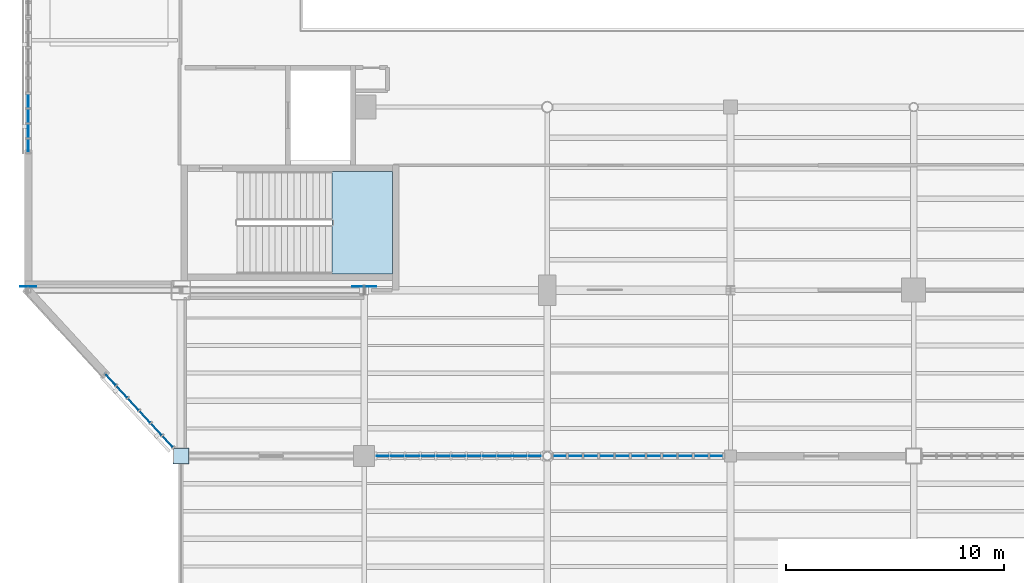
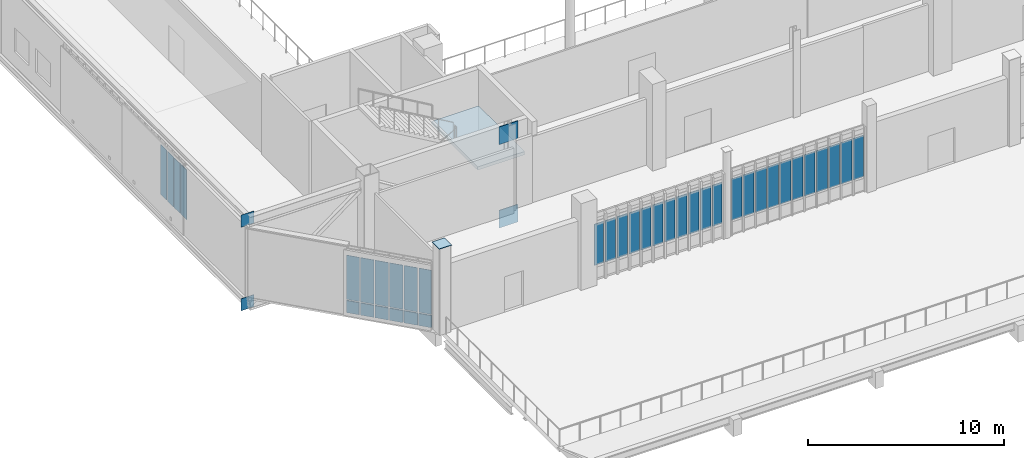
# One storey, part 68 of 127: 43 plates, 1 slab, 5 elements without a shape of their own.
"""IFC4 building model written with IfcOpenShell, lengths in metres."""

from ifc_helpers import new_model, si_unit, direction, frame, origin, origin_2d, place, context, subcontext, project, spatial, polyline, rectangle, outline, extrude, material, layer, layer_set, type_object, element, aggregate, save


model = new_model("IFC4")

# Units and contexts
model_context = context("Model", 3, precision=1e-05, world=origin(), true_north=direction((0.0, 1.0)))
body_context = subcontext(model_context, "Body", "Model", "MODEL_VIEW")
ifc_project = project(units=[si_unit("LENGTHUNIT", "METRE"), si_unit("AREAUNIT", "SQUARE_METRE"), si_unit("VOLUMEUNIT", "CUBIC_METRE"), si_unit("PLANEANGLEUNIT", "RADIAN"), si_unit("MASSUNIT", "GRAM", prefix="KILO")], contexts=[model_context])

# Site, building, storey
site_placement = place(None, origin())
site = spatial("IfcSite", under=ifc_project, at=site_placement, CompositionType="ELEMENT")
building_placement = place(site_placement, origin())
building = spatial("IfcBuilding", under=site, at=building_placement, Name="Larkvane Passage Sports Hall", CompositionType="ELEMENT")
storey_placement = place(building_placement, frame((0.0, 0.0, 5.39990234375)))
storey = spatial("IfcBuildingStorey", under=building, at=storey_placement, Name="L01", CompositionType="ELEMENT", Elevation=5.39990234375)

# Curtain wall, plates
ifc_material_1 = material(Name="Thermally broken aluminium and low-E glazing", Category="aluminium")
curtain_wall_type_1 = type_object("IfcCurtainWallType", Name="CW-UNIT-COURT", PredefinedType="USERDEFINED", material=ifc_material_1)
curtain_wall_1_placement = place(storey_placement, origin())
curtain_wall_1 = element("IfcCurtainWall", 1, at=curtain_wall_1_placement, inside=storey, type_object=curtain_wall_type_1, Name="Curtain wall CW5-L01-032", ObjectType="UNITISED CURTAIN WALL", PredefinedType="USERDEFINED")
ifc_material_2 = material(Name="Insulated aluminium spandrel panel", Category="aluminium")
ifc_layer_1 = layer(ifc_material_2, 0.06494140625)
ifc_layer_set_1 = layer_set([ifc_layer_1], Name="Insulated aluminium spandrel panel")
plate_type_1 = type_object("IfcPlateType", Name="CWP-SPD-65", PredefinedType="CURTAIN_PANEL", material=ifc_layer_set_1)
plate_1_placement = place(storey_placement, frame((34.192626953125, 15.859375, 0.065185546875), z_axis=(0.0, 0.0, 1.0), x_axis=(-0.677477581746, 0.735543422397, 0.0)))
plate_1 = element("IfcPlate", 2, at=plate_1_placement, type_object=plate_type_1, Name="CW-01 panel 1.1", PredefinedType="CURTAIN_PANEL", context=body_context, shape_type="SweptSolid", body=[
    extrude(rectangle(XDim=0.681884765625, YDim=0.06494140625, at=origin_2d()), origin(), (0.0, 0.0, 1.0), 0.75244140625),
])
plate_2_placement = place(storey_placement, frame((33.67578125, 16.420654296875, 0.065185546875), z_axis=(0.0, 0.0, 1.0), x_axis=(-0.677477581746, 0.735543422397, 0.0)))
plate_2 = element("IfcPlate", 3, at=plate_2_placement, type_object=plate_type_1, Name="CW-01 panel 2.1", PredefinedType="CURTAIN_PANEL", context=body_context, shape_type="SweptSolid", body=[
    extrude(rectangle(XDim=0.71435546875, YDim=0.06494140625, at=origin_2d()), origin(), (0.0, 0.0, 1.0), 0.75244140625),
])
plate_3_placement = place(storey_placement, frame((33.147705078125, 16.993896484375, 0.065185546875), z_axis=(0.0, 0.0, 1.0), x_axis=(-0.677477581746, 0.735543422397, 0.0)))
plate_3 = element("IfcPlate", 4, at=plate_3_placement, type_object=plate_type_1, Name="CW-01 panel 3.1", PredefinedType="CURTAIN_PANEL", context=body_context, shape_type="SweptSolid", body=[
    extrude(rectangle(XDim=0.71435546875, YDim=0.06494140625, at=origin_2d()), origin(), (0.0, 0.0, 1.0), 0.75244140625),
])
plate_4_placement = place(storey_placement, frame((32.619873046875, 17.56689453125, 0.065185546875), z_axis=(0.0, 0.0, 1.0), x_axis=(-0.677477581746, 0.735543422397, 0.0)))
plate_4 = element("IfcPlate", 5, at=plate_4_placement, type_object=plate_type_1, Name="CW-01 panel 4.1", PredefinedType="CURTAIN_PANEL", context=body_context, shape_type="SweptSolid", body=[
    extrude(rectangle(XDim=0.71435546875, YDim=0.06494140625, at=origin_2d()), origin(), (0.0, 0.0, 1.0), 0.75244140625),
])
plate_5_placement = place(storey_placement, frame((32.092041015625, 18.14013671875, 0.065185546875), z_axis=(0.0, 0.0, 1.0), x_axis=(-0.677477581746, 0.735543422397, 0.0)))
plate_5 = element("IfcPlate", 6, at=plate_5_placement, type_object=plate_type_1, Name="CW-01 panel 5.1", PredefinedType="CURTAIN_PANEL", context=body_context, shape_type="SweptSolid", body=[
    extrude(rectangle(XDim=0.71435546875, YDim=0.06494140625, at=origin_2d()), origin(), (0.0, 0.0, 1.0), 0.75244140625),
])
plate_6_placement = place(storey_placement, frame((31.574951171875, 18.701416015625, 0.065185546875), z_axis=(0.0, 0.0, 1.0), x_axis=(-0.677477581746, 0.735543422397, 0.0)))
plate_6 = element("IfcPlate", 7, at=plate_6_placement, type_object=plate_type_1, Name="CW-01 panel 6.1", PredefinedType="CURTAIN_PANEL", context=body_context, shape_type="SweptSolid", body=[
    extrude(rectangle(XDim=0.681884765625, YDim=0.06494140625, at=origin_2d()), origin(), (0.0, 0.0, 1.0), 0.75244140625),
])
ifc_material_3 = material(Name="Solar-control low-E double glazing", Category="glass")
ifc_layer_2 = layer(ifc_material_3, 0.028076171875)
ifc_layer_set_2 = layer_set([ifc_layer_2], Name="Solar-control low-E double glazing")
plate_type_2 = type_object("IfcPlateType", Name="CWP-VIS-28", PredefinedType="CURTAIN_PANEL", material=ifc_layer_set_2)
plate_7_placement = place(storey_placement, frame((34.192626953125, 15.859375, 0.882568359375), z_axis=(0.0, 0.0, 1.0), x_axis=(-0.677477581746, 0.735543422397, 0.0)))
plate_7 = element("IfcPlate", 8, at=plate_7_placement, type_object=plate_type_2, Name="CW-01 panel 1.2", PredefinedType="CURTAIN_PANEL", context=body_context, shape_type="SweptSolid", body=[
    extrude(rectangle(XDim=0.681884765625, YDim=0.028076171875, at=origin_2d()), origin(), (0.0, 0.0, 1.0), 2.7529296875),
])
plate_8_placement = place(storey_placement, frame((33.67578125, 16.420654296875, 0.882568359375), z_axis=(0.0, 0.0, 1.0), x_axis=(-0.677477581746, 0.735543422397, 0.0)))
plate_8 = element("IfcPlate", 9, at=plate_8_placement, type_object=plate_type_2, Name="CW-01 panel 2.2", PredefinedType="CURTAIN_PANEL", context=body_context, shape_type="SweptSolid", body=[
    extrude(rectangle(XDim=0.71435546875, YDim=0.028076171875, at=origin_2d()), origin(), (0.0, 0.0, 1.0), 2.7529296875),
])
plate_9_placement = place(storey_placement, frame((33.147705078125, 16.993896484375, 0.882568359375), z_axis=(0.0, 0.0, 1.0), x_axis=(-0.677477581746, 0.735543422397, 0.0)))
plate_9 = element("IfcPlate", 10, at=plate_9_placement, type_object=plate_type_2, Name="CW-01 panel 3.2", PredefinedType="CURTAIN_PANEL", context=body_context, shape_type="SweptSolid", body=[
    extrude(rectangle(XDim=0.71435546875, YDim=0.028076171875, at=origin_2d()), origin(), (0.0, 0.0, 1.0), 2.7529296875),
])
plate_10_placement = place(storey_placement, frame((32.619873046875, 17.56689453125, 0.882568359375), z_axis=(0.0, 0.0, 1.0), x_axis=(-0.677477581746, 0.735543422397, 0.0)))
plate_10 = element("IfcPlate", 11, at=plate_10_placement, type_object=plate_type_2, Name="CW-01 panel 4.2", PredefinedType="CURTAIN_PANEL", context=body_context, shape_type="SweptSolid", body=[
    extrude(rectangle(XDim=0.71435546875, YDim=0.028076171875, at=origin_2d()), origin(), (0.0, 0.0, 1.0), 2.7529296875),
])
plate_11_placement = place(storey_placement, frame((32.092041015625, 18.14013671875, 0.882568359375), z_axis=(0.0, 0.0, 1.0), x_axis=(-0.677477581746, 0.735543422397, 0.0)))
plate_11 = element("IfcPlate", 12, at=plate_11_placement, type_object=plate_type_2, Name="CW-01 panel 5.2", PredefinedType="CURTAIN_PANEL", context=body_context, shape_type="SweptSolid", body=[
    extrude(rectangle(XDim=0.71435546875, YDim=0.028076171875, at=origin_2d()), origin(), (0.0, 0.0, 1.0), 2.7529296875),
])
plate_12_placement = place(storey_placement, frame((31.574951171875, 18.701416015625, 0.882568359375), z_axis=(0.0, 0.0, 1.0), x_axis=(-0.677477581746, 0.735543422397, 0.0)))
plate_12 = element("IfcPlate", 13, at=plate_12_placement, type_object=plate_type_2, Name="CW-01 panel 6.2", PredefinedType="CURTAIN_PANEL", context=body_context, shape_type="SweptSolid", body=[
    extrude(rectangle(XDim=0.681884765625, YDim=0.028076171875, at=origin_2d()), origin(), (0.0, 0.0, 1.0), 2.7529296875),
])
aggregate(curtain_wall_1, [plate_1, plate_7, plate_2, plate_8, plate_3, plate_9, plate_4, plate_10, plate_5, plate_11, plate_6, plate_12])

curtain_wall_type_2 = type_object("IfcCurtainWallType", Name="CW-UNIT-VEIL", PredefinedType="USERDEFINED", material=ifc_material_1)
curtain_wall_2_placement = place(storey_placement, origin())
curtain_wall_2 = element("IfcCurtainWall", 14, at=curtain_wall_2_placement, inside=storey, type_object=curtain_wall_type_2, Name="Curtain wall CW5-L01-033", ObjectType="UNITISED CURTAIN WALL", PredefinedType="USERDEFINED")
ifc_material_4 = material(Name="Laminated acoustic low-E glazing", Category="glass")
ifc_layer_3 = layer(ifc_material_4, 0.031982421875)
ifc_layer_set_3 = layer_set([ifc_layer_3], Name="Laminated acoustic low-E glazing")
plate_type_3 = type_object("IfcPlateType", Name="CWP-VIS-32", PredefinedType="CURTAIN_PANEL", material=ifc_layer_set_3)
plate_13_placement = place(storey_placement, frame((27.800048828125, 29.420654296875, 0.8876953125), z_axis=(0.0, 0.0, 1.0), x_axis=(0.0, 1.0, 0.0)))
plate_13 = element("IfcPlate", 15, at=plate_13_placement, type_object=plate_type_3, Name="CW-02 panel 1.2", PredefinedType="CURTAIN_PANEL", context=body_context, shape_type="SweptSolid", body=[
    extrude(rectangle(XDim=0.58251953125, YDim=0.031982421875, at=origin_2d()), origin(), (0.0, 0.0, 1.0), 3.10302734375),
])
plate_14_placement = place(storey_placement, frame((27.800048828125, 30.096923828125, 0.8876953125), z_axis=(0.0, 0.0, 1.0), x_axis=(0.0, 1.0, 0.0)))
plate_14 = element("IfcPlate", 16, at=plate_14_placement, type_object=plate_type_3, Name="CW-02 panel 2.2", PredefinedType="CURTAIN_PANEL", context=body_context, shape_type="SweptSolid", body=[
    extrude(rectangle(XDim=0.619873046875, YDim=0.031982421875, at=origin_2d()), origin(), (0.0, 0.0, 1.0), 3.10302734375),
])
plate_15_placement = place(storey_placement, frame((27.800048828125, 30.7919921875, 0.8876953125), z_axis=(0.0, 0.0, 1.0), x_axis=(0.0, 1.0, 0.0)))
plate_15 = element("IfcPlate", 17, at=plate_15_placement, type_object=plate_type_3, Name="CW-02 panel 3.2", PredefinedType="CURTAIN_PANEL", context=body_context, shape_type="SweptSolid", body=[
    extrude(rectangle(XDim=0.619873046875, YDim=0.031982421875, at=origin_2d()), origin(), (0.0, 0.0, 1.0), 3.10302734375),
])
plate_16_placement = place(storey_placement, frame((27.800048828125, 31.48681640625, 0.8876953125), z_axis=(0.0, 0.0, 1.0), x_axis=(0.0, 1.0, 0.0)))
plate_16 = element("IfcPlate", 18, at=plate_16_placement, type_object=plate_type_3, Name="CW-02 panel 4.2", PredefinedType="CURTAIN_PANEL", context=body_context, shape_type="SweptSolid", body=[
    extrude(rectangle(XDim=0.619873046875, YDim=0.031982421875, at=origin_2d()), origin(), (0.0, 0.0, 1.0), 3.10302734375),
])
aggregate(curtain_wall_2, [plate_13, plate_14, plate_15, plate_16])

curtain_wall_type_3 = type_object("IfcCurtainWallType", Name="CW-STICK-FOYER", PredefinedType="USERDEFINED", material=ifc_material_1)
curtain_wall_3_placement = place(storey_placement, origin())
curtain_wall_3 = element("IfcCurtainWall", 19, at=curtain_wall_3_placement, inside=storey, type_object=curtain_wall_type_3, Name="Curtain wall CW5-L01-030", ObjectType="STICK CURTAIN WALL", PredefinedType="USERDEFINED")
ifc_material_5 = material(Name="High-impact court low-E glazing", Category="glass")
ifc_layer_4 = layer(ifc_material_5, 0.035888671875)
ifc_layer_set_4 = layer_set([ifc_layer_4], Name="High-impact court low-E glazing")
plate_type_4 = type_object("IfcPlateType", Name="CWP-VIS-36", PredefinedType="CURTAIN_PANEL", material=ifc_layer_set_4)
plate_17_placement = place(storey_placement, frame((59.3486328125, 15.199951171875, 0.89013671875), z_axis=(0.0, 0.0, 1.0), x_axis=(-1.0, 0.0, 0.0)))
plate_17 = element("IfcPlate", 20, at=plate_17_placement, type_object=plate_type_4, Name="CW-03 panel 1.2", PredefinedType="CURTAIN_PANEL", context=body_context, shape_type="SweptSolid", body=[
    extrude(rectangle(XDim=0.600830078125, YDim=0.035888671875, at=origin_2d()), origin(), (0.0, 0.0, 1.0), 2.587890625),
])
plate_18_placement = place(storey_placement, frame((58.647705078125, 15.199951171875, 0.89013671875), z_axis=(0.0, 0.0, 1.0), x_axis=(-1.0, 0.0, 0.0)))
plate_18 = element("IfcPlate", 21, at=plate_18_placement, type_object=plate_type_4, Name="CW-03 panel 2.2", PredefinedType="CURTAIN_PANEL", context=body_context, shape_type="SweptSolid", body=[
    extrude(rectangle(XDim=0.640869140625, YDim=0.035888671875, at=origin_2d()), origin(), (0.0, 0.0, 1.0), 2.587890625),
])
plate_19_placement = place(storey_placement, frame((57.9267578125, 15.199951171875, 0.89013671875), z_axis=(0.0, 0.0, 1.0), x_axis=(-1.0, 0.0, 0.0)))
plate_19 = element("IfcPlate", 22, at=plate_19_placement, type_object=plate_type_4, Name="CW-03 panel 3.2", PredefinedType="CURTAIN_PANEL", context=body_context, shape_type="SweptSolid", body=[
    extrude(rectangle(XDim=0.640869140625, YDim=0.035888671875, at=origin_2d()), origin(), (0.0, 0.0, 1.0), 2.587890625),
])
plate_20_placement = place(storey_placement, frame((57.205810546875, 15.199951171875, 0.89013671875), z_axis=(0.0, 0.0, 1.0), x_axis=(-1.0, 0.0, 0.0)))
plate_20 = element("IfcPlate", 23, at=plate_20_placement, type_object=plate_type_4, Name="CW-03 panel 4.2", PredefinedType="CURTAIN_PANEL", context=body_context, shape_type="SweptSolid", body=[
    extrude(rectangle(XDim=0.640869140625, YDim=0.035888671875, at=origin_2d()), origin(), (0.0, 0.0, 1.0), 2.587890625),
])
plate_21_placement = place(storey_placement, frame((56.485107421875, 15.199951171875, 0.89013671875), z_axis=(0.0, 0.0, 1.0), x_axis=(-1.0, 0.0, 0.0)))
plate_21 = element("IfcPlate", 24, at=plate_21_placement, type_object=plate_type_4, Name="CW-03 panel 5.2", PredefinedType="CURTAIN_PANEL", context=body_context, shape_type="SweptSolid", body=[
    extrude(rectangle(XDim=0.640869140625, YDim=0.035888671875, at=origin_2d()), origin(), (0.0, 0.0, 1.0), 2.587890625),
])
plate_22_placement = place(storey_placement, frame((55.76416015625, 15.199951171875, 0.89013671875), z_axis=(0.0, 0.0, 1.0), x_axis=(-1.0, 0.0, 0.0)))
plate_22 = element("IfcPlate", 25, at=plate_22_placement, type_object=plate_type_4, Name="CW-03 panel 6.2", PredefinedType="CURTAIN_PANEL", context=body_context, shape_type="SweptSolid", body=[
    extrude(rectangle(XDim=0.640869140625, YDim=0.035888671875, at=origin_2d()), origin(), (0.0, 0.0, 1.0), 2.587890625),
])
plate_23_placement = place(storey_placement, frame((55.043212890625, 15.199951171875, 0.89013671875), z_axis=(0.0, 0.0, 1.0), x_axis=(-1.0, 0.0, 0.0)))
plate_23 = element("IfcPlate", 26, at=plate_23_placement, type_object=plate_type_4, Name="CW-03 panel 7.2", PredefinedType="CURTAIN_PANEL", context=body_context, shape_type="SweptSolid", body=[
    extrude(rectangle(XDim=0.640869140625, YDim=0.035888671875, at=origin_2d()), origin(), (0.0, 0.0, 1.0), 2.587890625),
])
plate_24_placement = place(storey_placement, frame((54.322265625, 15.199951171875, 0.89013671875), z_axis=(0.0, 0.0, 1.0), x_axis=(-1.0, 0.0, 0.0)))
plate_24 = element("IfcPlate", 27, at=plate_24_placement, type_object=plate_type_4, Name="CW-03 panel 8.2", PredefinedType="CURTAIN_PANEL", context=body_context, shape_type="SweptSolid", body=[
    extrude(rectangle(XDim=0.640869140625, YDim=0.035888671875, at=origin_2d()), origin(), (0.0, 0.0, 1.0), 2.587890625),
])
plate_25_placement = place(storey_placement, frame((53.601318359375, 15.199951171875, 0.89013671875), z_axis=(0.0, 0.0, 1.0), x_axis=(-1.0, 0.0, 0.0)))
plate_25 = element("IfcPlate", 28, at=plate_25_placement, type_object=plate_type_4, Name="CW-03 panel 9.2", PredefinedType="CURTAIN_PANEL", context=body_context, shape_type="SweptSolid", body=[
    extrude(rectangle(XDim=0.640869140625, YDim=0.035888671875, at=origin_2d()), origin(), (0.0, 0.0, 1.0), 2.587890625),
])
plate_26_placement = place(storey_placement, frame((52.880615234375, 15.199951171875, 0.89013671875), z_axis=(0.0, 0.0, 1.0), x_axis=(-1.0, 0.0, 0.0)))
plate_26 = element("IfcPlate", 29, at=plate_26_placement, type_object=plate_type_4, Name="CW-03 panel 10.2", PredefinedType="CURTAIN_PANEL", context=body_context, shape_type="SweptSolid", body=[
    extrude(rectangle(XDim=0.640869140625, YDim=0.035888671875, at=origin_2d()), origin(), (0.0, 0.0, 1.0), 2.587890625),
])
plate_27_placement = place(storey_placement, frame((52.1796875, 15.199951171875, 0.89013671875), z_axis=(0.0, 0.0, 1.0), x_axis=(-1.0, 0.0, 0.0)))
plate_27 = element("IfcPlate", 30, at=plate_27_placement, type_object=plate_type_4, Name="CW-03 panel 11.2", PredefinedType="CURTAIN_PANEL", context=body_context, shape_type="SweptSolid", body=[
    extrude(rectangle(XDim=0.600830078125, YDim=0.035888671875, at=origin_2d()), origin(), (0.0, 0.0, 1.0), 2.587890625),
])
aggregate(curtain_wall_3, [plate_17, plate_18, plate_19, plate_20, plate_21, plate_22, plate_23, plate_24, plate_25, plate_26, plate_27])

curtain_wall_type_4 = type_object("IfcCurtainWallType", Name="CW-CLINIC", PredefinedType="USERDEFINED", material=ifc_material_1)
curtain_wall_4_placement = place(storey_placement, origin())
curtain_wall_4 = element("IfcCurtainWall", 31, at=curtain_wall_4_placement, inside=storey, type_object=curtain_wall_type_4, Name="Curtain wall CW5-L01-031", ObjectType="UNITISED CURTAIN WALL", PredefinedType="USERDEFINED")
ifc_material_6 = material(Name="Triple-laminated typhoon glazing", Category="glass")
ifc_layer_5 = layer(ifc_material_6, 0.0419921875)
ifc_layer_set_5 = layer_set([ifc_layer_5], Name="Triple-laminated typhoon glazing")
plate_type_5 = type_object("IfcPlateType", Name="CWP-VIS-42", PredefinedType="CURTAIN_PANEL", material=ifc_layer_set_5)
plate_28_placement = place(storey_placement, frame((51.02197265625, 15.199951171875, 0.9052734375), z_axis=(0.0, 0.0, 1.0), x_axis=(-1.0, 0.0, 0.0)))
plate_28 = element("IfcPlate", 32, at=plate_28_placement, type_object=plate_type_5, Name="CW-05 panel 1.2", PredefinedType="CURTAIN_PANEL", context=body_context, shape_type="SweptSolid", body=[
    extrude(rectangle(XDim=0.53759765625, YDim=0.0419921875, at=origin_2d()), origin(), (0.0, 0.0, 1.0), 2.568115234375),
])
plate_29_placement = place(storey_placement, frame((50.3466796875, 15.199951171875, 0.9052734375), z_axis=(0.0, 0.0, 1.0), x_axis=(-1.0, 0.0, 0.0)))
plate_29 = element("IfcPlate", 33, at=plate_29_placement, type_object=plate_type_5, Name="CW-05 panel 2.2", PredefinedType="CURTAIN_PANEL", context=body_context, shape_type="SweptSolid", body=[
    extrude(rectangle(XDim=0.5927734375, YDim=0.0419921875, at=origin_2d()), origin(), (0.0, 0.0, 1.0), 2.568115234375),
])
plate_30_placement = place(storey_placement, frame((49.64404296875, 15.199951171875, 0.9052734375), z_axis=(0.0, 0.0, 1.0), x_axis=(-1.0, 0.0, 0.0)))
plate_30 = element("IfcPlate", 34, at=plate_30_placement, type_object=plate_type_5, Name="CW-05 panel 3.2", PredefinedType="CURTAIN_PANEL", context=body_context, shape_type="SweptSolid", body=[
    extrude(rectangle(XDim=0.5927734375, YDim=0.0419921875, at=origin_2d()), origin(), (0.0, 0.0, 1.0), 2.568115234375),
])
plate_31_placement = place(storey_placement, frame((48.94140625, 15.199951171875, 0.9052734375), z_axis=(0.0, 0.0, 1.0), x_axis=(-1.0, 0.0, 0.0)))
plate_31 = element("IfcPlate", 35, at=plate_31_placement, type_object=plate_type_5, Name="CW-05 panel 4.2", PredefinedType="CURTAIN_PANEL", context=body_context, shape_type="SweptSolid", body=[
    extrude(rectangle(XDim=0.5927734375, YDim=0.0419921875, at=origin_2d()), origin(), (0.0, 0.0, 1.0), 2.568115234375),
])
plate_32_placement = place(storey_placement, frame((48.238525390625, 15.199951171875, 0.9052734375), z_axis=(0.0, 0.0, 1.0), x_axis=(-1.0, 0.0, 0.0)))
plate_32 = element("IfcPlate", 36, at=plate_32_placement, type_object=plate_type_5, Name="CW-05 panel 5.2", PredefinedType="CURTAIN_PANEL", context=body_context, shape_type="SweptSolid", body=[
    extrude(rectangle(XDim=0.5927734375, YDim=0.0419921875, at=origin_2d()), origin(), (0.0, 0.0, 1.0), 2.568115234375),
])
plate_33_placement = place(storey_placement, frame((47.535888671875, 15.199951171875, 0.9052734375), z_axis=(0.0, 0.0, 1.0), x_axis=(-1.0, 0.0, 0.0)))
plate_33 = element("IfcPlate", 37, at=plate_33_placement, type_object=plate_type_5, Name="CW-05 panel 6.2", PredefinedType="CURTAIN_PANEL", context=body_context, shape_type="SweptSolid", body=[
    extrude(rectangle(XDim=0.5927734375, YDim=0.0419921875, at=origin_2d()), origin(), (0.0, 0.0, 1.0), 2.568115234375),
])
plate_34_placement = place(storey_placement, frame((46.833251953125, 15.199951171875, 0.9052734375), z_axis=(0.0, 0.0, 1.0), x_axis=(-1.0, 0.0, 0.0)))
plate_34 = element("IfcPlate", 38, at=plate_34_placement, type_object=plate_type_5, Name="CW-05 panel 7.2", PredefinedType="CURTAIN_PANEL", context=body_context, shape_type="SweptSolid", body=[
    extrude(rectangle(XDim=0.5927734375, YDim=0.0419921875, at=origin_2d()), origin(), (0.0, 0.0, 1.0), 2.568115234375),
])
plate_35_placement = place(storey_placement, frame((46.13037109375, 15.199951171875, 0.9052734375), z_axis=(0.0, 0.0, 1.0), x_axis=(-1.0, 0.0, 0.0)))
plate_35 = element("IfcPlate", 39, at=plate_35_placement, type_object=plate_type_5, Name="CW-05 panel 8.2", PredefinedType="CURTAIN_PANEL", context=body_context, shape_type="SweptSolid", body=[
    extrude(rectangle(XDim=0.5927734375, YDim=0.0419921875, at=origin_2d()), origin(), (0.0, 0.0, 1.0), 2.568115234375),
])
plate_36_placement = place(storey_placement, frame((45.427734375, 15.199951171875, 0.9052734375), z_axis=(0.0, 0.0, 1.0), x_axis=(-1.0, 0.0, 0.0)))
plate_36 = element("IfcPlate", 40, at=plate_36_placement, type_object=plate_type_5, Name="CW-05 panel 9.2", PredefinedType="CURTAIN_PANEL", context=body_context, shape_type="SweptSolid", body=[
    extrude(rectangle(XDim=0.5927734375, YDim=0.0419921875, at=origin_2d()), origin(), (0.0, 0.0, 1.0), 2.568115234375),
])
plate_37_placement = place(storey_placement, frame((44.72509765625, 15.199951171875, 0.9052734375), z_axis=(0.0, 0.0, 1.0), x_axis=(-1.0, 0.0, 0.0)))
plate_37 = element("IfcPlate", 41, at=plate_37_placement, type_object=plate_type_5, Name="CW-05 panel 10.2", PredefinedType="CURTAIN_PANEL", context=body_context, shape_type="SweptSolid", body=[
    extrude(rectangle(XDim=0.5927734375, YDim=0.0419921875, at=origin_2d()), origin(), (0.0, 0.0, 1.0), 2.568115234375),
])
plate_38_placement = place(storey_placement, frame((44.0498046875, 15.199951171875, 0.9052734375), z_axis=(0.0, 0.0, 1.0), x_axis=(-1.0, 0.0, 0.0)))
plate_38 = element("IfcPlate", 42, at=plate_38_placement, type_object=plate_type_5, Name="CW-05 panel 11.2", PredefinedType="CURTAIN_PANEL", context=body_context, shape_type="SweptSolid", body=[
    extrude(rectangle(XDim=0.53759765625, YDim=0.0419921875, at=origin_2d()), origin(), (0.0, 0.0, 1.0), 2.568115234375),
])
aggregate(curtain_wall_4, [plate_28, plate_29, plate_30, plate_31, plate_32, plate_33, plate_34, plate_35, plate_36, plate_37, plate_38])

# Plates
ifc_material_7 = material(Name="Steel S460N", Category="steel")
ifc_layer_6 = layer(ifc_material_7, 0.028076171875)
ifc_layer_set_6 = layer_set([ifc_layer_6], Name="Steel S460N")
plate_type_6 = type_object("IfcPlateType", Name="PLT-CAP-28", PredefinedType="SHEET", material=ifc_layer_set_6)
plate_39_placement = place(storey_placement, frame((34.800048828125, 15.199951171875, 5.39990234375), z_axis=(0.0, 0.0, 1.0), x_axis=(1.0, 0.0, 0.0)))
element("IfcPlate", 43, at=plate_39_placement, inside=storey, type_object=plate_type_6, Name="Hollow section sealed end cap plate 0002", PredefinedType="SHEET", context=body_context, shape_type="SweptSolid", body=[
    extrude(rectangle(XDim=0.739990234375, YDim=0.739990234375, at=origin_2d()), origin(), (0.0, 0.0, 1.0), 0.028076171875),
])
ifc_layer_7 = layer(ifc_material_7, 0.02392578125)
ifc_layer_set_7 = layer_set([ifc_layer_7], Name="Steel S460N")
plate_type_7 = type_object("IfcPlateType", Name="PLT-GUS-24", PredefinedType="USERDEFINED", material=ifc_layer_set_7)
for number, where, z_axis, x_axis, name in (
    (44, (27.800048828125, 22.9619140625, -0.89892578125), (0.0, 0.0, 1.0), (1.0, 0.0, 0.0), "Truss node gusset plate ND-1B (CT-W1A-1)"),
    (45, (27.800048828125, 22.9619140625, 4.31103515625), (0.0, 0.0, 1.0), (1.0, 0.0, 0.0), "Truss node gusset plate ND-1T (CT-W1A-1)"),
):
    element("IfcPlate", number, at=place(storey_placement, frame(where, z_axis=z_axis, x_axis=x_axis)), inside=storey, type_object=plate_type_7, Name=name, ObjectType="GUSSET PLATE", PredefinedType="USERDEFINED", context=body_context, shape_type="SweptSolid", body=[
        extrude(rectangle(XDim=0.75, YDim=0.02392578125, at=origin_2d()), origin(), (0.0, 0.0, 1.0), 0.75),
    ])
ifc_layer_8 = layer(ifc_material_7, 0.0400390625)
ifc_layer_set_8 = layer_set([ifc_layer_8], Name="Steel S460N")
plate_type_8 = type_object("IfcPlateType", Name="PLT-GUS-40", PredefinedType="USERDEFINED", material=ifc_layer_set_8)
for number, where, z_axis, x_axis, name in (
    (46, (43.199951171875, 22.969970703125, -1.073974609375), (0.0, 0.0, 1.0), (1.0, 0.0, 0.0), "Truss node gusset plate ND-3B (CT-W1A-1)"),
    (47, (43.199951171875, 22.969970703125, 4.135986328125), (0.0, 0.0, 1.0), (1.0, 0.0, 0.0), "Truss node gusset plate ND-3T (CT-W1A-1)"),
):
    element("IfcPlate", number, at=place(storey_placement, frame(where, z_axis=z_axis, x_axis=x_axis)), inside=storey, type_object=plate_type_8, Name=name, ObjectType="GUSSET PLATE", PredefinedType="USERDEFINED", context=body_context, shape_type="SweptSolid", body=[
        extrude(rectangle(XDim=1.10009765625, YDim=0.0400390625, at=origin_2d()), origin(), (0.0, 0.0, 1.0), 1.10009765625),
    ])

# Stair, slab
ifc_material_8 = material(Name="Concrete C40/50", Category="concrete")
stair_type = type_object("IfcStairType", Name="STR-CORE-2250", PredefinedType="HALF_TURN_STAIR", material=ifc_material_8)
stair_placement = place(storey_placement, origin())
stair = element("IfcStair", 48, at=stair_placement, inside=storey, type_object=stair_type, Name="L01 Protected exit stair ST-01", PredefinedType="HALF_TURN_STAIR")
ifc_layer_9 = layer(ifc_material_8, 0.199951171875)
ifc_layer_set_9 = layer_set([ifc_layer_9], Name="Concrete C40/50")
slab_type = type_object("IfcSlabType", Name="SLB-LAND-200", PredefinedType="LANDING", material=ifc_layer_set_9)
slab_placement = place(storey_placement, frame((0.0, 0.0, 2.5)))
slab = element("IfcSlab", 49, at=slab_placement, type_object=slab_type, Name="ST-01 landing 1", PredefinedType="LANDING", context=body_context, shape_type="SweptSolid", body=[
    extrude(outline(polyline([(41.72998046875, 23.550048828125), (44.5, 23.550048828125), (44.5, 28.25), (41.72998046875, 28.25), (41.72998046875, 23.550048828125)])), origin(), (0.0, 0.0, 1.0), 0.2001953125),
])
aggregate(stair, [slab])

save(model, "model.ifc")
